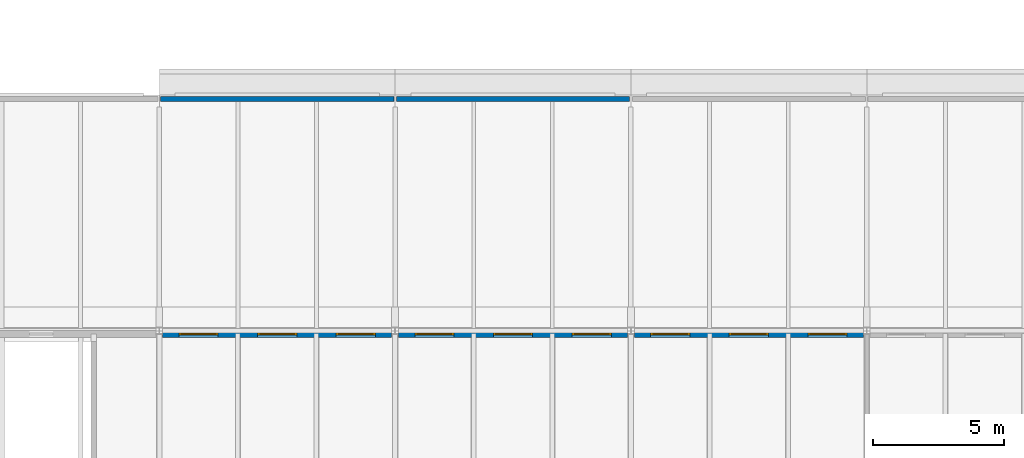
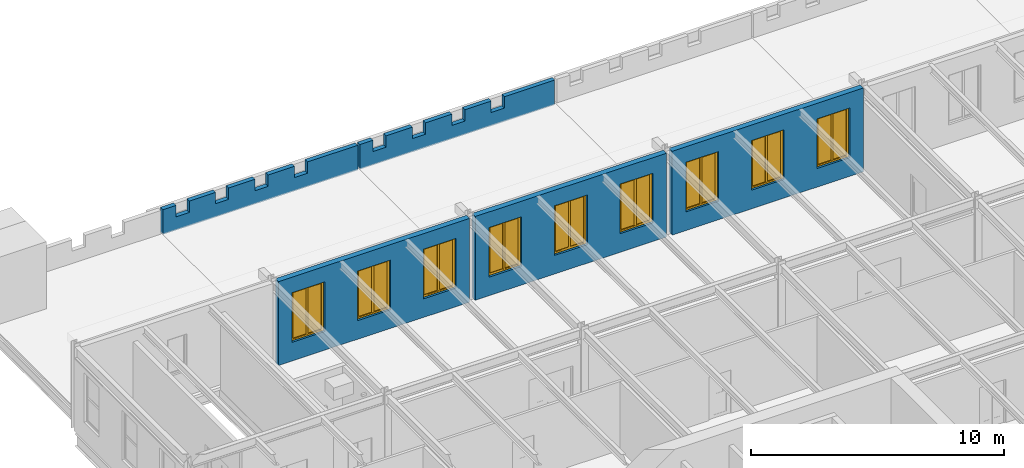
# One storey, part 74 of 123: 9 windows, 5 walls, 9 openings.
"""IFC4 building model written with IfcOpenShell, lengths in metres."""

from ifc_helpers import new_model, si_unit, direction, frame, frame_2d, origin, place, context, subcontext, project, spatial, polyline, rectangle, outline, extrude, material, layer, layer_set, type_object, element, fill, save


model = new_model("IFC4")

# Units and contexts
model_context = context("Model", 3, precision=1e-05, world=origin(), true_north=direction((0.0, 1.0)))
body_context = subcontext(model_context, "Body", "Model", "MODEL_VIEW")
ifc_project = project(units=[si_unit("LENGTHUNIT", "METRE"), si_unit("AREAUNIT", "SQUARE_METRE"), si_unit("VOLUMEUNIT", "CUBIC_METRE"), si_unit("PLANEANGLEUNIT", "RADIAN"), si_unit("MASSUNIT", "GRAM", prefix="KILO")], contexts=[model_context])

# Site, building, storey
site_placement = place(None, origin())
site = spatial("IfcSite", under=ifc_project, at=site_placement, CompositionType="ELEMENT")
building_placement = place(site_placement, origin())
building = spatial("IfcBuilding", under=site, at=building_placement, Name="Baradari Gate Terminus", CompositionType="ELEMENT")
storey_placement = place(building_placement, frame((0.0, 0.0, 7.5)))
storey = spatial("IfcBuildingStorey", under=building, at=storey_placement, Name="L01", CompositionType="ELEMENT", Elevation=7.5)

# Wall, openings, windows
ifc_material_1 = material(Name="Laterite masonry", Category="masonry")
ifc_layer_1 = layer(ifc_material_1, 0.25)
ifc_layer_set_1 = layer_set([ifc_layer_1], Name="Laterite masonry")
wall_type_1 = type_object("IfcWallType", Name="Laterite masonry wall WP-1 250", PredefinedType="SOLIDWALL", material=ifc_layer_set_1)
wall_1_placement = place(storey_placement, frame((72.128173828125, 107.87841796875, 0.0), z_axis=(0.0, 0.0, 1.0), x_axis=(1.0, 0.0, 0.0)))
wall_1 = element("IfcWall", 1, at=wall_1_placement, inside=storey, type_object=wall_type_1, Name="arcade gallery wall HN bay 9 L01", PredefinedType="SOLIDWALL", context=body_context, shape_type="SweptSolid", body=[
    extrude(rectangle(XDim=8.74365234375, YDim=0.25, at=frame_2d((4.371826171875, 0.0))), origin(), (0.0, 0.0, 1.0), 4.050048828125),
])
opening_1_placement = place(wall_1_placement, frame((0.621826171875, 0.0, 0.89990234375)))
opening_1 = element("IfcOpeningElement", 2, at=opening_1_placement, cuts=wall_1, Name="Opening W1", PredefinedType="OPENING", context=body_context, shape_type="SweptSolid", body=[
    extrude(rectangle(XDim=1.5, YDim=2.39990234375, at=frame_2d((0.75, 1.199951171875))), frame((0.0, 0.135009765625, 0.0), z_axis=(0.0, -1.0, 0.0), x_axis=(1.0, 0.0, 0.0)), (0.0, 0.0, 1.0), 0.27001953125),
])
opening_2_placement = place(wall_1_placement, frame((3.621826171875, 0.0, 0.89990234375)))
opening_2 = element("IfcOpeningElement", 3, at=opening_2_placement, cuts=wall_1, Name="Opening W1", PredefinedType="OPENING", context=body_context, shape_type="SweptSolid", body=[
    extrude(rectangle(XDim=1.5, YDim=2.39990234375, at=frame_2d((0.75, 1.199951171875))), frame((0.0, 0.135009765625, 0.0), z_axis=(0.0, -1.0, 0.0), x_axis=(1.0, 0.0, 0.0)), (0.0, 0.0, 1.0), 0.27001953125),
])
opening_3_placement = place(wall_1_placement, frame((6.621826171875, 0.0, 0.89990234375)))
opening_3 = element("IfcOpeningElement", 4, at=opening_3_placement, cuts=wall_1, Name="Opening W1", PredefinedType="OPENING", context=body_context, shape_type="SweptSolid", body=[
    extrude(rectangle(XDim=1.5, YDim=2.39990234375, at=frame_2d((0.75, 1.199951171875))), frame((0.0, 0.135009765625, 0.0), z_axis=(0.0, -1.0, 0.0), x_axis=(1.0, 0.0, 0.0)), (0.0, 0.0, 1.0), 0.27001953125),
])
ifc_material_2 = material(Name="Aluminium 6063-T6", Category="aluminium")
window_type = type_object("IfcWindowType", Name="Punched window, 2-light W1 1500x2400", PartitioningType="DOUBLE_PANEL_VERTICAL", PredefinedType="WINDOW", material=ifc_material_2)
window_1_placement = place(opening_1_placement, origin())
window_1 = element("IfcWindow", 5, at=window_1_placement, inside=storey, type_object=window_type, Name="Window W1 HN/08", OverallHeight=2.4, OverallWidth=1.5, PartitioningType="DOUBLE_PANEL_VERTICAL", PredefinedType="WINDOW", context=body_context, shape_type="SweptSolid", body=[
    extrude(outline(polyline([(0.0, 0.0), (1.5, 0.0), (1.5, 2.39990234375), (0.0, 2.39990234375), (0.0, 0.0)]), holes=[polyline([(0.070068359375, 0.070068359375), (1.429931640625, 0.070068359375), (1.429931640625, 2.329833984375), (0.070068359375, 2.329833984375), (0.070068359375, 0.070068359375)])]), frame((0.0, 0.030029296875, 0.0), z_axis=(0.0, -1.0, 0.0), x_axis=(1.0, 0.0, 0.0)), (0.0, 0.0, 1.0), 0.06005859375),
    extrude(rectangle(XDim=0.0400390625, YDim=2.259765625, at=frame_2d((0.75, 1.199951171875))), frame((0.0, 0.02197265625, 0.0), z_axis=(0.0, -1.0, 0.0), x_axis=(1.0, 0.0, 0.0)), (0.0, 0.0, 1.0), 0.0439453125),
    extrude(outline(polyline([(0.070068359375, 0.070068359375), (0.72998046875, 0.070068359375), (0.72998046875, 2.329833984375), (0.070068359375, 2.329833984375), (0.070068359375, 0.070068359375)]), holes=[polyline([(0.10009765625, 0.10009765625), (0.699951171875, 0.10009765625), (0.699951171875, 2.2998046875), (0.10009765625, 2.2998046875), (0.10009765625, 0.10009765625)])]), frame((0.0, 0.0224609375, 0.0), z_axis=(0.0, -1.0, 0.0), x_axis=(1.0, 0.0, 0.0)), (0.0, 0.0, 1.0), 0.044921875),
    extrude(rectangle(XDim=0.599853515625, YDim=2.19970703125, at=frame_2d((0.39990234375, 1.199951171875))), frame((0.0, 0.006103515625, 0.0), z_axis=(0.0, -1.0, 0.0), x_axis=(1.0, 0.0, 0.0)), (0.0, 0.0, 1.0), 0.01220703125),
    extrude(outline(polyline([(0.77001953125, 0.070068359375), (1.429931640625, 0.070068359375), (1.429931640625, 2.329833984375), (0.77001953125, 2.329833984375), (0.77001953125, 0.070068359375)]), holes=[polyline([(0.800048828125, 0.10009765625), (1.39990234375, 0.10009765625), (1.39990234375, 2.2998046875), (0.800048828125, 2.2998046875), (0.800048828125, 0.10009765625)])]), frame((0.0, 0.0224609375, 0.0), z_axis=(0.0, -1.0, 0.0), x_axis=(1.0, 0.0, 0.0)), (0.0, 0.0, 1.0), 0.044921875),
    extrude(rectangle(XDim=0.599853515625, YDim=2.19970703125, at=frame_2d((1.10009765625, 1.199951171875))), frame((0.0, 0.006103515625, 0.0), z_axis=(0.0, -1.0, 0.0), x_axis=(1.0, 0.0, 0.0)), (0.0, 0.0, 1.0), 0.01220703125),
])
fill(opening_1, window_1)
window_2_placement = place(opening_2_placement, origin())
window_2 = element("IfcWindow", 6, at=window_2_placement, inside=storey, type_object=window_type, Name="Window W1 HN/08", OverallHeight=2.4, OverallWidth=1.5, PartitioningType="DOUBLE_PANEL_VERTICAL", PredefinedType="WINDOW", context=body_context, shape_type="SweptSolid", body=[
    extrude(outline(polyline([(0.0, 0.0), (1.5, 0.0), (1.5, 2.39990234375), (0.0, 2.39990234375), (0.0, 0.0)]), holes=[polyline([(0.070068359375, 0.070068359375), (1.429931640625, 0.070068359375), (1.429931640625, 2.329833984375), (0.070068359375, 2.329833984375), (0.070068359375, 0.070068359375)])]), frame((0.0, 0.030029296875, 0.0), z_axis=(0.0, -1.0, 0.0), x_axis=(1.0, 0.0, 0.0)), (0.0, 0.0, 1.0), 0.06005859375),
    extrude(rectangle(XDim=0.0400390625, YDim=2.259765625, at=frame_2d((0.75, 1.199951171875))), frame((0.0, 0.02197265625, 0.0), z_axis=(0.0, -1.0, 0.0), x_axis=(1.0, 0.0, 0.0)), (0.0, 0.0, 1.0), 0.0439453125),
    extrude(outline(polyline([(0.070068359375, 0.070068359375), (0.72998046875, 0.070068359375), (0.72998046875, 2.329833984375), (0.070068359375, 2.329833984375), (0.070068359375, 0.070068359375)]), holes=[polyline([(0.10009765625, 0.10009765625), (0.699951171875, 0.10009765625), (0.699951171875, 2.2998046875), (0.10009765625, 2.2998046875), (0.10009765625, 0.10009765625)])]), frame((0.0, 0.0224609375, 0.0), z_axis=(0.0, -1.0, 0.0), x_axis=(1.0, 0.0, 0.0)), (0.0, 0.0, 1.0), 0.044921875),
    extrude(rectangle(XDim=0.599853515625, YDim=2.19970703125, at=frame_2d((0.39990234375, 1.199951171875))), frame((0.0, 0.006103515625, 0.0), z_axis=(0.0, -1.0, 0.0), x_axis=(1.0, 0.0, 0.0)), (0.0, 0.0, 1.0), 0.01220703125),
    extrude(outline(polyline([(0.77001953125, 0.070068359375), (1.429931640625, 0.070068359375), (1.429931640625, 2.329833984375), (0.77001953125, 2.329833984375), (0.77001953125, 0.070068359375)]), holes=[polyline([(0.800048828125, 0.10009765625), (1.39990234375, 0.10009765625), (1.39990234375, 2.2998046875), (0.800048828125, 2.2998046875), (0.800048828125, 0.10009765625)])]), frame((0.0, 0.0224609375, 0.0), z_axis=(0.0, -1.0, 0.0), x_axis=(1.0, 0.0, 0.0)), (0.0, 0.0, 1.0), 0.044921875),
    extrude(rectangle(XDim=0.599853515625, YDim=2.19970703125, at=frame_2d((1.10009765625, 1.199951171875))), frame((0.0, 0.006103515625, 0.0), z_axis=(0.0, -1.0, 0.0), x_axis=(1.0, 0.0, 0.0)), (0.0, 0.0, 1.0), 0.01220703125),
])
fill(opening_2, window_2)
window_3_placement = place(opening_3_placement, origin())
window_3 = element("IfcWindow", 7, at=window_3_placement, inside=storey, type_object=window_type, Name="Window W1 HN/08", OverallHeight=2.4, OverallWidth=1.5, PartitioningType="DOUBLE_PANEL_VERTICAL", PredefinedType="WINDOW", context=body_context, shape_type="SweptSolid", body=[
    extrude(outline(polyline([(0.0, 0.0), (1.5, 0.0), (1.5, 2.39990234375), (0.0, 2.39990234375), (0.0, 0.0)]), holes=[polyline([(0.070068359375, 0.070068359375), (1.429931640625, 0.070068359375), (1.429931640625, 2.329833984375), (0.070068359375, 2.329833984375), (0.070068359375, 0.070068359375)])]), frame((0.0, 0.030029296875, 0.0), z_axis=(0.0, -1.0, 0.0), x_axis=(1.0, 0.0, 0.0)), (0.0, 0.0, 1.0), 0.06005859375),
    extrude(rectangle(XDim=0.0400390625, YDim=2.259765625, at=frame_2d((0.75, 1.199951171875))), frame((0.0, 0.02197265625, 0.0), z_axis=(0.0, -1.0, 0.0), x_axis=(1.0, 0.0, 0.0)), (0.0, 0.0, 1.0), 0.0439453125),
    extrude(outline(polyline([(0.070068359375, 0.070068359375), (0.72998046875, 0.070068359375), (0.72998046875, 2.329833984375), (0.070068359375, 2.329833984375), (0.070068359375, 0.070068359375)]), holes=[polyline([(0.10009765625, 0.10009765625), (0.699951171875, 0.10009765625), (0.699951171875, 2.2998046875), (0.10009765625, 2.2998046875), (0.10009765625, 0.10009765625)])]), frame((0.0, 0.0224609375, 0.0), z_axis=(0.0, -1.0, 0.0), x_axis=(1.0, 0.0, 0.0)), (0.0, 0.0, 1.0), 0.044921875),
    extrude(rectangle(XDim=0.599853515625, YDim=2.19970703125, at=frame_2d((0.39990234375, 1.199951171875))), frame((0.0, 0.006103515625, 0.0), z_axis=(0.0, -1.0, 0.0), x_axis=(1.0, 0.0, 0.0)), (0.0, 0.0, 1.0), 0.01220703125),
    extrude(outline(polyline([(0.77001953125, 0.070068359375), (1.429931640625, 0.070068359375), (1.429931640625, 2.329833984375), (0.77001953125, 2.329833984375), (0.77001953125, 0.070068359375)]), holes=[polyline([(0.800048828125, 0.10009765625), (1.39990234375, 0.10009765625), (1.39990234375, 2.2998046875), (0.800048828125, 2.2998046875), (0.800048828125, 0.10009765625)])]), frame((0.0, 0.0224609375, 0.0), z_axis=(0.0, -1.0, 0.0), x_axis=(1.0, 0.0, 0.0)), (0.0, 0.0, 1.0), 0.044921875),
    extrude(rectangle(XDim=0.599853515625, YDim=2.19970703125, at=frame_2d((1.10009765625, 1.199951171875))), frame((0.0, 0.006103515625, 0.0), z_axis=(0.0, -1.0, 0.0), x_axis=(1.0, 0.0, 0.0)), (0.0, 0.0, 1.0), 0.01220703125),
])
fill(opening_3, window_3)

wall_2_placement = place(storey_placement, frame((81.128173828125, 107.87841796875, 0.0), z_axis=(0.0, 0.0, 1.0), x_axis=(1.0, 0.0, 0.0)))
wall_2 = element("IfcWall", 8, at=wall_2_placement, inside=storey, type_object=wall_type_1, Name="arcade gallery wall HN bay 10 L01", PredefinedType="SOLIDWALL", context=body_context, shape_type="SweptSolid", body=[
    extrude(rectangle(XDim=8.74365234375, YDim=0.25, at=frame_2d((4.371826171875, 0.0))), origin(), (0.0, 0.0, 1.0), 4.050048828125),
])
opening_4_placement = place(wall_2_placement, frame((0.621826171875, 0.0, 0.89990234375)))
opening_4 = element("IfcOpeningElement", 9, at=opening_4_placement, cuts=wall_2, Name="Opening W1", PredefinedType="OPENING", context=body_context, shape_type="SweptSolid", body=[
    extrude(rectangle(XDim=1.5, YDim=2.39990234375, at=frame_2d((0.75, 1.199951171875))), frame((0.0, 0.135009765625, 0.0), z_axis=(0.0, -1.0, 0.0), x_axis=(1.0, 0.0, 0.0)), (0.0, 0.0, 1.0), 0.27001953125),
])
opening_5_placement = place(wall_2_placement, frame((3.621826171875, 0.0, 0.89990234375)))
opening_5 = element("IfcOpeningElement", 10, at=opening_5_placement, cuts=wall_2, Name="Opening W1", PredefinedType="OPENING", context=body_context, shape_type="SweptSolid", body=[
    extrude(rectangle(XDim=1.5, YDim=2.39990234375, at=frame_2d((0.75, 1.199951171875))), frame((0.0, 0.135009765625, 0.0), z_axis=(0.0, -1.0, 0.0), x_axis=(1.0, 0.0, 0.0)), (0.0, 0.0, 1.0), 0.27001953125),
])
opening_6_placement = place(wall_2_placement, frame((6.621826171875, 0.0, 0.89990234375)))
opening_6 = element("IfcOpeningElement", 11, at=opening_6_placement, cuts=wall_2, Name="Opening W1", PredefinedType="OPENING", context=body_context, shape_type="SweptSolid", body=[
    extrude(rectangle(XDim=1.5, YDim=2.39990234375, at=frame_2d((0.75, 1.199951171875))), frame((0.0, 0.135009765625, 0.0), z_axis=(0.0, -1.0, 0.0), x_axis=(1.0, 0.0, 0.0)), (0.0, 0.0, 1.0), 0.27001953125),
])
window_4_placement = place(opening_4_placement, origin())
window_4 = element("IfcWindow", 12, at=window_4_placement, inside=storey, type_object=window_type, Name="Window W1 HN/09", OverallHeight=2.4, OverallWidth=1.5, PartitioningType="DOUBLE_PANEL_VERTICAL", PredefinedType="WINDOW", context=body_context, shape_type="SweptSolid", body=[
    extrude(outline(polyline([(0.0, 0.0), (1.5, 0.0), (1.5, 2.39990234375), (0.0, 2.39990234375), (0.0, 0.0)]), holes=[polyline([(0.070068359375, 0.070068359375), (1.429931640625, 0.070068359375), (1.429931640625, 2.329833984375), (0.070068359375, 2.329833984375), (0.070068359375, 0.070068359375)])]), frame((0.0, 0.030029296875, 0.0), z_axis=(0.0, -1.0, 0.0), x_axis=(1.0, 0.0, 0.0)), (0.0, 0.0, 1.0), 0.06005859375),
    extrude(rectangle(XDim=0.0400390625, YDim=2.259765625, at=frame_2d((0.75, 1.199951171875))), frame((0.0, 0.02197265625, 0.0), z_axis=(0.0, -1.0, 0.0), x_axis=(1.0, 0.0, 0.0)), (0.0, 0.0, 1.0), 0.0439453125),
    extrude(outline(polyline([(0.070068359375, 0.070068359375), (0.72998046875, 0.070068359375), (0.72998046875, 2.329833984375), (0.070068359375, 2.329833984375), (0.070068359375, 0.070068359375)]), holes=[polyline([(0.10009765625, 0.10009765625), (0.699951171875, 0.10009765625), (0.699951171875, 2.2998046875), (0.10009765625, 2.2998046875), (0.10009765625, 0.10009765625)])]), frame((0.0, 0.0224609375, 0.0), z_axis=(0.0, -1.0, 0.0), x_axis=(1.0, 0.0, 0.0)), (0.0, 0.0, 1.0), 0.044921875),
    extrude(rectangle(XDim=0.599853515625, YDim=2.19970703125, at=frame_2d((0.39990234375, 1.199951171875))), frame((0.0, 0.006103515625, 0.0), z_axis=(0.0, -1.0, 0.0), x_axis=(1.0, 0.0, 0.0)), (0.0, 0.0, 1.0), 0.01220703125),
    extrude(outline(polyline([(0.77001953125, 0.070068359375), (1.429931640625, 0.070068359375), (1.429931640625, 2.329833984375), (0.77001953125, 2.329833984375), (0.77001953125, 0.070068359375)]), holes=[polyline([(0.800048828125, 0.10009765625), (1.39990234375, 0.10009765625), (1.39990234375, 2.2998046875), (0.800048828125, 2.2998046875), (0.800048828125, 0.10009765625)])]), frame((0.0, 0.0224609375, 0.0), z_axis=(0.0, -1.0, 0.0), x_axis=(1.0, 0.0, 0.0)), (0.0, 0.0, 1.0), 0.044921875),
    extrude(rectangle(XDim=0.599853515625, YDim=2.19970703125, at=frame_2d((1.10009765625, 1.199951171875))), frame((0.0, 0.006103515625, 0.0), z_axis=(0.0, -1.0, 0.0), x_axis=(1.0, 0.0, 0.0)), (0.0, 0.0, 1.0), 0.01220703125),
])
fill(opening_4, window_4)
window_5_placement = place(opening_5_placement, origin())
window_5 = element("IfcWindow", 13, at=window_5_placement, inside=storey, type_object=window_type, Name="Window W1 HN/09", OverallHeight=2.4, OverallWidth=1.5, PartitioningType="DOUBLE_PANEL_VERTICAL", PredefinedType="WINDOW", context=body_context, shape_type="SweptSolid", body=[
    extrude(outline(polyline([(0.0, 0.0), (1.5, 0.0), (1.5, 2.39990234375), (0.0, 2.39990234375), (0.0, 0.0)]), holes=[polyline([(0.070068359375, 0.070068359375), (1.429931640625, 0.070068359375), (1.429931640625, 2.329833984375), (0.070068359375, 2.329833984375), (0.070068359375, 0.070068359375)])]), frame((0.0, 0.030029296875, 0.0), z_axis=(0.0, -1.0, 0.0), x_axis=(1.0, 0.0, 0.0)), (0.0, 0.0, 1.0), 0.06005859375),
    extrude(rectangle(XDim=0.0400390625, YDim=2.259765625, at=frame_2d((0.75, 1.199951171875))), frame((0.0, 0.02197265625, 0.0), z_axis=(0.0, -1.0, 0.0), x_axis=(1.0, 0.0, 0.0)), (0.0, 0.0, 1.0), 0.0439453125),
    extrude(outline(polyline([(0.070068359375, 0.070068359375), (0.72998046875, 0.070068359375), (0.72998046875, 2.329833984375), (0.070068359375, 2.329833984375), (0.070068359375, 0.070068359375)]), holes=[polyline([(0.10009765625, 0.10009765625), (0.699951171875, 0.10009765625), (0.699951171875, 2.2998046875), (0.10009765625, 2.2998046875), (0.10009765625, 0.10009765625)])]), frame((0.0, 0.0224609375, 0.0), z_axis=(0.0, -1.0, 0.0), x_axis=(1.0, 0.0, 0.0)), (0.0, 0.0, 1.0), 0.044921875),
    extrude(rectangle(XDim=0.599853515625, YDim=2.19970703125, at=frame_2d((0.39990234375, 1.199951171875))), frame((0.0, 0.006103515625, 0.0), z_axis=(0.0, -1.0, 0.0), x_axis=(1.0, 0.0, 0.0)), (0.0, 0.0, 1.0), 0.01220703125),
    extrude(outline(polyline([(0.77001953125, 0.070068359375), (1.429931640625, 0.070068359375), (1.429931640625, 2.329833984375), (0.77001953125, 2.329833984375), (0.77001953125, 0.070068359375)]), holes=[polyline([(0.800048828125, 0.10009765625), (1.39990234375, 0.10009765625), (1.39990234375, 2.2998046875), (0.800048828125, 2.2998046875), (0.800048828125, 0.10009765625)])]), frame((0.0, 0.0224609375, 0.0), z_axis=(0.0, -1.0, 0.0), x_axis=(1.0, 0.0, 0.0)), (0.0, 0.0, 1.0), 0.044921875),
    extrude(rectangle(XDim=0.599853515625, YDim=2.19970703125, at=frame_2d((1.10009765625, 1.199951171875))), frame((0.0, 0.006103515625, 0.0), z_axis=(0.0, -1.0, 0.0), x_axis=(1.0, 0.0, 0.0)), (0.0, 0.0, 1.0), 0.01220703125),
])
fill(opening_5, window_5)
window_6_placement = place(opening_6_placement, origin())
window_6 = element("IfcWindow", 14, at=window_6_placement, inside=storey, type_object=window_type, Name="Window W1 HN/09", OverallHeight=2.4, OverallWidth=1.5, PartitioningType="DOUBLE_PANEL_VERTICAL", PredefinedType="WINDOW", context=body_context, shape_type="SweptSolid", body=[
    extrude(outline(polyline([(0.0, 0.0), (1.5, 0.0), (1.5, 2.39990234375), (0.0, 2.39990234375), (0.0, 0.0)]), holes=[polyline([(0.070068359375, 0.070068359375), (1.429931640625, 0.070068359375), (1.429931640625, 2.329833984375), (0.070068359375, 2.329833984375), (0.070068359375, 0.070068359375)])]), frame((0.0, 0.030029296875, 0.0), z_axis=(0.0, -1.0, 0.0), x_axis=(1.0, 0.0, 0.0)), (0.0, 0.0, 1.0), 0.06005859375),
    extrude(rectangle(XDim=0.0400390625, YDim=2.259765625, at=frame_2d((0.75, 1.199951171875))), frame((0.0, 0.02197265625, 0.0), z_axis=(0.0, -1.0, 0.0), x_axis=(1.0, 0.0, 0.0)), (0.0, 0.0, 1.0), 0.0439453125),
    extrude(outline(polyline([(0.070068359375, 0.070068359375), (0.72998046875, 0.070068359375), (0.72998046875, 2.329833984375), (0.070068359375, 2.329833984375), (0.070068359375, 0.070068359375)]), holes=[polyline([(0.10009765625, 0.10009765625), (0.699951171875, 0.10009765625), (0.699951171875, 2.2998046875), (0.10009765625, 2.2998046875), (0.10009765625, 0.10009765625)])]), frame((0.0, 0.0224609375, 0.0), z_axis=(0.0, -1.0, 0.0), x_axis=(1.0, 0.0, 0.0)), (0.0, 0.0, 1.0), 0.044921875),
    extrude(rectangle(XDim=0.599853515625, YDim=2.19970703125, at=frame_2d((0.39990234375, 1.199951171875))), frame((0.0, 0.006103515625, 0.0), z_axis=(0.0, -1.0, 0.0), x_axis=(1.0, 0.0, 0.0)), (0.0, 0.0, 1.0), 0.01220703125),
    extrude(outline(polyline([(0.77001953125, 0.070068359375), (1.429931640625, 0.070068359375), (1.429931640625, 2.329833984375), (0.77001953125, 2.329833984375), (0.77001953125, 0.070068359375)]), holes=[polyline([(0.800048828125, 0.10009765625), (1.39990234375, 0.10009765625), (1.39990234375, 2.2998046875), (0.800048828125, 2.2998046875), (0.800048828125, 0.10009765625)])]), frame((0.0, 0.0224609375, 0.0), z_axis=(0.0, -1.0, 0.0), x_axis=(1.0, 0.0, 0.0)), (0.0, 0.0, 1.0), 0.044921875),
    extrude(rectangle(XDim=0.599853515625, YDim=2.19970703125, at=frame_2d((1.10009765625, 1.199951171875))), frame((0.0, 0.006103515625, 0.0), z_axis=(0.0, -1.0, 0.0), x_axis=(1.0, 0.0, 0.0)), (0.0, 0.0, 1.0), 0.01220703125),
])
fill(opening_6, window_6)

wall_3_placement = place(storey_placement, frame((90.128173828125, 107.87841796875, 0.0), z_axis=(0.0, 0.0, 1.0), x_axis=(1.0, 0.0, 0.0)))
wall_3 = element("IfcWall", 15, at=wall_3_placement, inside=storey, type_object=wall_type_1, Name="arcade gallery wall HN bay 11 L01", PredefinedType="SOLIDWALL", context=body_context, shape_type="SweptSolid", body=[
    extrude(rectangle(XDim=8.74365234375, YDim=0.25, at=frame_2d((4.371826171875, 0.0))), origin(), (0.0, 0.0, 1.0), 4.050048828125),
])
opening_7_placement = place(wall_3_placement, frame((0.621826171875, 0.0, 0.89990234375)))
opening_7 = element("IfcOpeningElement", 16, at=opening_7_placement, cuts=wall_3, Name="Opening W1", PredefinedType="OPENING", context=body_context, shape_type="SweptSolid", body=[
    extrude(rectangle(XDim=1.5, YDim=2.39990234375, at=frame_2d((0.75, 1.199951171875))), frame((0.0, 0.135009765625, 0.0), z_axis=(0.0, -1.0, 0.0), x_axis=(1.0, 0.0, 0.0)), (0.0, 0.0, 1.0), 0.27001953125),
])
opening_8_placement = place(wall_3_placement, frame((3.621826171875, 0.0, 0.89990234375)))
opening_8 = element("IfcOpeningElement", 17, at=opening_8_placement, cuts=wall_3, Name="Opening W1", PredefinedType="OPENING", context=body_context, shape_type="SweptSolid", body=[
    extrude(rectangle(XDim=1.5, YDim=2.39990234375, at=frame_2d((0.75, 1.199951171875))), frame((0.0, 0.135009765625, 0.0), z_axis=(0.0, -1.0, 0.0), x_axis=(1.0, 0.0, 0.0)), (0.0, 0.0, 1.0), 0.27001953125),
])
opening_9_placement = place(wall_3_placement, frame((6.621826171875, 0.0, 0.89990234375)))
opening_9 = element("IfcOpeningElement", 18, at=opening_9_placement, cuts=wall_3, Name="Opening W1", PredefinedType="OPENING", context=body_context, shape_type="SweptSolid", body=[
    extrude(rectangle(XDim=1.5, YDim=2.39990234375, at=frame_2d((0.75, 1.199951171875))), frame((0.0, 0.135009765625, 0.0), z_axis=(0.0, -1.0, 0.0), x_axis=(1.0, 0.0, 0.0)), (0.0, 0.0, 1.0), 0.27001953125),
])
window_7_placement = place(opening_7_placement, origin())
window_7 = element("IfcWindow", 19, at=window_7_placement, inside=storey, type_object=window_type, Name="Window W1 HN/10", OverallHeight=2.4, OverallWidth=1.5, PartitioningType="DOUBLE_PANEL_VERTICAL", PredefinedType="WINDOW", context=body_context, shape_type="SweptSolid", body=[
    extrude(outline(polyline([(0.0, 0.0), (1.5, 0.0), (1.5, 2.39990234375), (0.0, 2.39990234375), (0.0, 0.0)]), holes=[polyline([(0.070068359375, 0.070068359375), (1.429931640625, 0.070068359375), (1.429931640625, 2.329833984375), (0.070068359375, 2.329833984375), (0.070068359375, 0.070068359375)])]), frame((0.0, 0.030029296875, 0.0), z_axis=(0.0, -1.0, 0.0), x_axis=(1.0, 0.0, 0.0)), (0.0, 0.0, 1.0), 0.06005859375),
    extrude(rectangle(XDim=0.0400390625, YDim=2.259765625, at=frame_2d((0.75, 1.199951171875))), frame((0.0, 0.02197265625, 0.0), z_axis=(0.0, -1.0, 0.0), x_axis=(1.0, 0.0, 0.0)), (0.0, 0.0, 1.0), 0.0439453125),
    extrude(outline(polyline([(0.070068359375, 0.070068359375), (0.72998046875, 0.070068359375), (0.72998046875, 2.329833984375), (0.070068359375, 2.329833984375), (0.070068359375, 0.070068359375)]), holes=[polyline([(0.10009765625, 0.10009765625), (0.699951171875, 0.10009765625), (0.699951171875, 2.2998046875), (0.10009765625, 2.2998046875), (0.10009765625, 0.10009765625)])]), frame((0.0, 0.0224609375, 0.0), z_axis=(0.0, -1.0, 0.0), x_axis=(1.0, 0.0, 0.0)), (0.0, 0.0, 1.0), 0.044921875),
    extrude(rectangle(XDim=0.599853515625, YDim=2.19970703125, at=frame_2d((0.39990234375, 1.199951171875))), frame((0.0, 0.006103515625, 0.0), z_axis=(0.0, -1.0, 0.0), x_axis=(1.0, 0.0, 0.0)), (0.0, 0.0, 1.0), 0.01220703125),
    extrude(outline(polyline([(0.77001953125, 0.070068359375), (1.429931640625, 0.070068359375), (1.429931640625, 2.329833984375), (0.77001953125, 2.329833984375), (0.77001953125, 0.070068359375)]), holes=[polyline([(0.800048828125, 0.10009765625), (1.39990234375, 0.10009765625), (1.39990234375, 2.2998046875), (0.800048828125, 2.2998046875), (0.800048828125, 0.10009765625)])]), frame((0.0, 0.0224609375, 0.0), z_axis=(0.0, -1.0, 0.0), x_axis=(1.0, 0.0, 0.0)), (0.0, 0.0, 1.0), 0.044921875),
    extrude(rectangle(XDim=0.599853515625, YDim=2.19970703125, at=frame_2d((1.10009765625, 1.199951171875))), frame((0.0, 0.006103515625, 0.0), z_axis=(0.0, -1.0, 0.0), x_axis=(1.0, 0.0, 0.0)), (0.0, 0.0, 1.0), 0.01220703125),
])
fill(opening_7, window_7)
window_8_placement = place(opening_8_placement, origin())
window_8 = element("IfcWindow", 20, at=window_8_placement, inside=storey, type_object=window_type, Name="Window W1 HN/10", OverallHeight=2.4, OverallWidth=1.5, PartitioningType="DOUBLE_PANEL_VERTICAL", PredefinedType="WINDOW", context=body_context, shape_type="SweptSolid", body=[
    extrude(outline(polyline([(0.0, 0.0), (1.5, 0.0), (1.5, 2.39990234375), (0.0, 2.39990234375), (0.0, 0.0)]), holes=[polyline([(0.070068359375, 0.070068359375), (1.429931640625, 0.070068359375), (1.429931640625, 2.329833984375), (0.070068359375, 2.329833984375), (0.070068359375, 0.070068359375)])]), frame((0.0, 0.030029296875, 0.0), z_axis=(0.0, -1.0, 0.0), x_axis=(1.0, 0.0, 0.0)), (0.0, 0.0, 1.0), 0.06005859375),
    extrude(rectangle(XDim=0.0400390625, YDim=2.259765625, at=frame_2d((0.75, 1.199951171875))), frame((0.0, 0.02197265625, 0.0), z_axis=(0.0, -1.0, 0.0), x_axis=(1.0, 0.0, 0.0)), (0.0, 0.0, 1.0), 0.0439453125),
    extrude(outline(polyline([(0.070068359375, 0.070068359375), (0.72998046875, 0.070068359375), (0.72998046875, 2.329833984375), (0.070068359375, 2.329833984375), (0.070068359375, 0.070068359375)]), holes=[polyline([(0.10009765625, 0.10009765625), (0.699951171875, 0.10009765625), (0.699951171875, 2.2998046875), (0.10009765625, 2.2998046875), (0.10009765625, 0.10009765625)])]), frame((0.0, 0.0224609375, 0.0), z_axis=(0.0, -1.0, 0.0), x_axis=(1.0, 0.0, 0.0)), (0.0, 0.0, 1.0), 0.044921875),
    extrude(rectangle(XDim=0.599853515625, YDim=2.19970703125, at=frame_2d((0.39990234375, 1.199951171875))), frame((0.0, 0.006103515625, 0.0), z_axis=(0.0, -1.0, 0.0), x_axis=(1.0, 0.0, 0.0)), (0.0, 0.0, 1.0), 0.01220703125),
    extrude(outline(polyline([(0.77001953125, 0.070068359375), (1.429931640625, 0.070068359375), (1.429931640625, 2.329833984375), (0.77001953125, 2.329833984375), (0.77001953125, 0.070068359375)]), holes=[polyline([(0.800048828125, 0.10009765625), (1.39990234375, 0.10009765625), (1.39990234375, 2.2998046875), (0.800048828125, 2.2998046875), (0.800048828125, 0.10009765625)])]), frame((0.0, 0.0224609375, 0.0), z_axis=(0.0, -1.0, 0.0), x_axis=(1.0, 0.0, 0.0)), (0.0, 0.0, 1.0), 0.044921875),
    extrude(rectangle(XDim=0.599853515625, YDim=2.19970703125, at=frame_2d((1.10009765625, 1.199951171875))), frame((0.0, 0.006103515625, 0.0), z_axis=(0.0, -1.0, 0.0), x_axis=(1.0, 0.0, 0.0)), (0.0, 0.0, 1.0), 0.01220703125),
])
fill(opening_8, window_8)
window_9_placement = place(opening_9_placement, origin())
window_9 = element("IfcWindow", 21, at=window_9_placement, inside=storey, type_object=window_type, Name="Window W1 HN/10", OverallHeight=2.4, OverallWidth=1.5, PartitioningType="DOUBLE_PANEL_VERTICAL", PredefinedType="WINDOW", context=body_context, shape_type="SweptSolid", body=[
    extrude(outline(polyline([(0.0, 0.0), (1.5, 0.0), (1.5, 2.39990234375), (0.0, 2.39990234375), (0.0, 0.0)]), holes=[polyline([(0.070068359375, 0.070068359375), (1.429931640625, 0.070068359375), (1.429931640625, 2.329833984375), (0.070068359375, 2.329833984375), (0.070068359375, 0.070068359375)])]), frame((0.0, 0.030029296875, 0.0), z_axis=(0.0, -1.0, 0.0), x_axis=(1.0, 0.0, 0.0)), (0.0, 0.0, 1.0), 0.06005859375),
    extrude(rectangle(XDim=0.0400390625, YDim=2.259765625, at=frame_2d((0.75, 1.199951171875))), frame((0.0, 0.02197265625, 0.0), z_axis=(0.0, -1.0, 0.0), x_axis=(1.0, 0.0, 0.0)), (0.0, 0.0, 1.0), 0.0439453125),
    extrude(outline(polyline([(0.070068359375, 0.070068359375), (0.72998046875, 0.070068359375), (0.72998046875, 2.329833984375), (0.070068359375, 2.329833984375), (0.070068359375, 0.070068359375)]), holes=[polyline([(0.10009765625, 0.10009765625), (0.699951171875, 0.10009765625), (0.699951171875, 2.2998046875), (0.10009765625, 2.2998046875), (0.10009765625, 0.10009765625)])]), frame((0.0, 0.0224609375, 0.0), z_axis=(0.0, -1.0, 0.0), x_axis=(1.0, 0.0, 0.0)), (0.0, 0.0, 1.0), 0.044921875),
    extrude(rectangle(XDim=0.599853515625, YDim=2.19970703125, at=frame_2d((0.39990234375, 1.199951171875))), frame((0.0, 0.006103515625, 0.0), z_axis=(0.0, -1.0, 0.0), x_axis=(1.0, 0.0, 0.0)), (0.0, 0.0, 1.0), 0.01220703125),
    extrude(outline(polyline([(0.77001953125, 0.070068359375), (1.429931640625, 0.070068359375), (1.429931640625, 2.329833984375), (0.77001953125, 2.329833984375), (0.77001953125, 0.070068359375)]), holes=[polyline([(0.800048828125, 0.10009765625), (1.39990234375, 0.10009765625), (1.39990234375, 2.2998046875), (0.800048828125, 2.2998046875), (0.800048828125, 0.10009765625)])]), frame((0.0, 0.0224609375, 0.0), z_axis=(0.0, -1.0, 0.0), x_axis=(1.0, 0.0, 0.0)), (0.0, 0.0, 1.0), 0.044921875),
    extrude(rectangle(XDim=0.599853515625, YDim=2.19970703125, at=frame_2d((1.10009765625, 1.199951171875))), frame((0.0, 0.006103515625, 0.0), z_axis=(0.0, -1.0, 0.0), x_axis=(1.0, 0.0, 0.0)), (0.0, 0.0, 1.0), 0.01220703125),
])
fill(opening_9, window_9)

# Walls
ifc_material_3 = material(Name="Laterite masonry", Category="masonry")
ifc_layer_2 = layer(ifc_material_3, 0.199951171875)
ifc_layer_set_2 = layer_set([ifc_layer_2], Name="Laterite masonry")
wall_type_2 = type_object("IfcWallType", Name="Parapet PW-4 200x1200 arcade", PredefinedType="PARAPET", material=ifc_layer_set_2)
for number, where, z_axis, x_axis, name in (
    (22, (72.050048828125, 116.85009765625, 0.89990234375), (0.0, 0.0, 1.0), (1.0, 0.0, 0.0), "Merlon parapet 1.2 1"),
    (23, (81.050048828125, 116.85009765625, 0.89990234375), (0.0, 0.0, 1.0), (1.0, 0.0, 0.0), "Merlon parapet 1.3 1"),
):
    element("IfcWall", number, at=place(storey_placement, frame(where, z_axis=z_axis, x_axis=x_axis)), inside=storey, type_object=wall_type_2, Name=name, PredefinedType="PARAPET", context=body_context, shape_type="SweptSolid", body=[
        extrude(outline(polyline([(6.60009765625, 1.2001953125), (6.60009765625, 0.650146484375), (6.0, 0.650146484375), (6.0, 1.2001953125), (4.800048828125, 1.2001953125), (4.800048828125, 0.650146484375), (4.199951171875, 0.650146484375), (4.199951171875, 1.2001953125), (3.0, 1.2001953125), (3.0, 0.650146484375), (2.39990234375, 0.650146484375), (2.39990234375, 1.2001953125), (1.199951171875, 1.2001953125), (1.199951171875, 0.650146484375), (0.60009765625, 0.650146484375), (0.60009765625, 1.2001953125), (0.0, 1.2001953125), (0.0, 0.0), (8.89990234375, 0.0), (8.89990234375, 1.2001953125), (6.60009765625, 1.2001953125)])), frame((0.0, 0.10009765625, 0.0), z_axis=(0.0, -1.0, 0.0), x_axis=(1.0, 0.0, 0.0)), (0.0, 0.0, 1.0), 0.199951171875),
    ])

save(model, "model.ifc")
